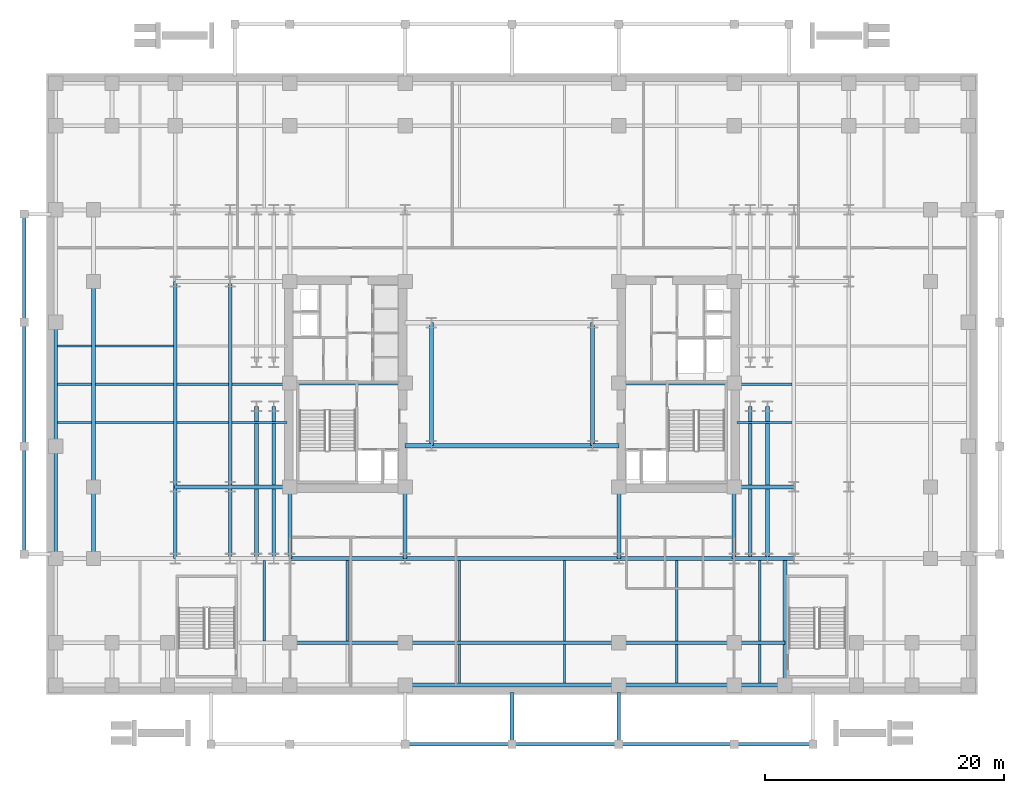
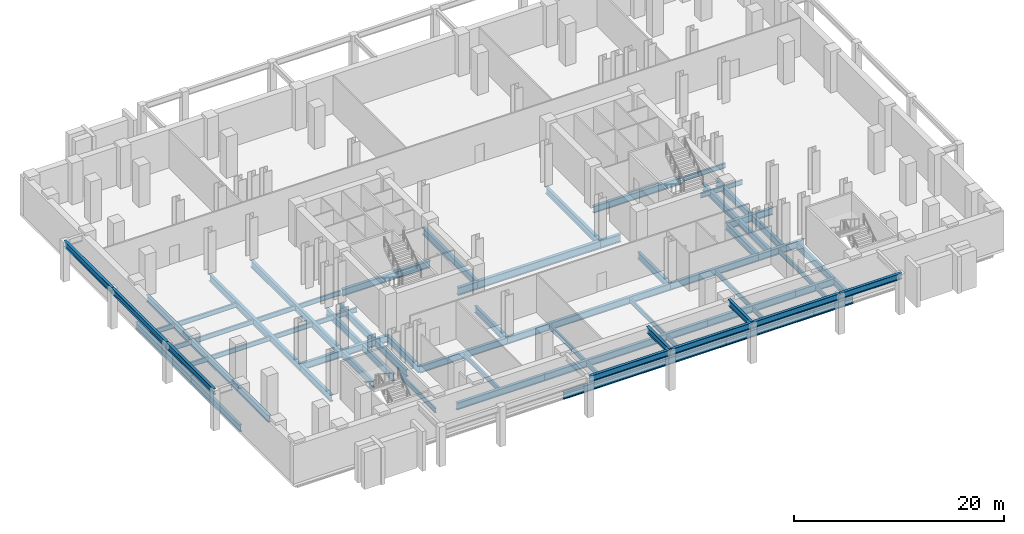
# One storey, part 2 of 13: 69 beams.
"""IFC4 building model written with IfcOpenShell, lengths in metres."""

from ifc_helpers import new_model, si_unit, direction, frame, origin, origin_2d, place, context, subcontext, project, spatial, i_section, extrude, material, material_profile, profile_set, type_object, element, save


model = new_model("IFC4")

# Units and contexts
model_context = context("Model", 3, precision=1e-05, world=origin(), true_north=direction((0.0, 1.0)))
body_context = subcontext(model_context, "Body", "Model", "MODEL_VIEW")
ifc_project = project(units=[si_unit("LENGTHUNIT", "METRE"), si_unit("AREAUNIT", "SQUARE_METRE"), si_unit("VOLUMEUNIT", "CUBIC_METRE"), si_unit("PLANEANGLEUNIT", "RADIAN"), si_unit("MASSUNIT", "GRAM", prefix="KILO")], contexts=[model_context])

# Site, building, storey
site_placement = place(None, origin())
site = spatial("IfcSite", under=ifc_project, at=site_placement, CompositionType="ELEMENT")
building_placement = place(site_placement, origin())
building = spatial("IfcBuilding", under=site, at=building_placement, Name="Velakula Bourse", CompositionType="ELEMENT")
storey_placement = place(building_placement, frame((0.0, 0.0, -4.800048828125)))
storey = spatial("IfcBuildingStorey", under=building, at=storey_placement, Name="B01", CompositionType="ELEMENT", Elevation=-4.800048828125)

# Beams
ifc_material = material(Name="Steel IS 2062 Grade 350 (E350)", Category="steel")
ifc_material_profile_1 = material_profile(ifc_material, i_section(OverallWidth=0.35009765625, OverallDepth=0.89990234375, WebThickness=0.02001953125, FlangeThickness=0.031982421875, at=origin_2d()), Name="Steel IS 2062 Grade 350 (E350)")
ifc_profile_set_1 = profile_set([ifc_material_profile_1], Name="Steel IS 2062 Grade 350 (E350)")
beam_type_1 = type_object("IfcBeamType", Name="BM-LNK-900", PredefinedType="BEAM", material=ifc_profile_set_1)
beam_1_placement = place(storey_placement, frame((-8.949951171875, -5.14990234375, -0.75), z_axis=(1.0, 0.0, 0.0), x_axis=(0.0, 1.0, 0.0)))
element("IfcBeam", 1, at=beam_1_placement, inside=storey, type_object=beam_type_1, Name="B01 Primary Backbone Girder LNK-S1", PredefinedType="BEAM", context=body_context, shape_type="SweptSolid", body=[
    extrude(i_section(OverallWidth=0.35009765625, OverallDepth=0.89990234375, WebThickness=0.02001953125, FlangeThickness=0.031982421875, at=origin_2d()), origin(), (0.0, 0.0, 1.0), 2.199951171875),
])
beam_2_placement = place(storey_placement, frame((-6.75, -5.14990234375, -0.75), z_axis=(1.0, 0.0, 0.0), x_axis=(0.0, 1.0, 0.0)))
element("IfcBeam", 2, at=beam_2_placement, inside=storey, type_object=beam_type_1, Name="B01 Primary Backbone Girder LNK-S2", PredefinedType="BEAM", context=body_context, shape_type="SweptSolid", body=[
    extrude(i_section(OverallWidth=0.35009765625, OverallDepth=0.89990234375, WebThickness=0.02001953125, FlangeThickness=0.031982421875, at=origin_2d()), origin(), (0.0, 0.0, 1.0), 13.5),
])
beam_3_placement = place(storey_placement, frame((6.75, -5.14990234375, -0.75), z_axis=(1.0, 0.0, 0.0), x_axis=(0.0, 1.0, 0.0)))
element("IfcBeam", 3, at=beam_3_placement, inside=storey, type_object=beam_type_1, Name="B01 Primary Backbone Girder LNK-S3", PredefinedType="BEAM", context=body_context, shape_type="SweptSolid", body=[
    extrude(i_section(OverallWidth=0.35009765625, OverallDepth=0.89990234375, WebThickness=0.02001953125, FlangeThickness=0.031982421875, at=origin_2d()), origin(), (0.0, 0.0, 1.0), 2.199951171875),
])
ifc_material_profile_2 = material_profile(ifc_material, i_section(OverallWidth=0.300048828125, OverallDepth=0.699951171875, WebThickness=0.01611328125, FlangeThickness=0.02490234375, at=origin_2d()), Name="Steel IS 2062 Grade 350 (E350)")
ifc_profile_set_2 = profile_set([ifc_material_profile_2], Name="Steel IS 2062 Grade 350 (E350)")
beam_type_2 = type_object("IfcBeamType", Name="BM-POD-700", PredefinedType="BEAM", material=ifc_profile_set_2)
for number, where, z_axis, x_axis, name in (
    (4, (-8.949951171875, -30.14990234375, 4.25), (1.0, 0.0, 0.0), (0.0, 1.0, 0.0), "Forecourt Sub-Plaza Support Girder PLZ-S3"),
    (5, (0.0, -30.14990234375, 4.25), (1.0, 0.0, 0.0), (0.0, 1.0, 0.0), "Forecourt Sub-Plaza Support Girder PLZ-S4"),
):
    element("IfcBeam", number, at=place(storey_placement, frame(where, z_axis=z_axis, x_axis=x_axis)), inside=storey, type_object=beam_type_2, Name=name, PredefinedType="BEAM", context=body_context, shape_type="SweptSolid", body=[
        extrude(i_section(OverallWidth=0.300048828125, OverallDepth=0.699951171875, WebThickness=0.01611328125, FlangeThickness=0.02490234375, at=origin_2d()), origin(), (0.0, 0.0, 1.0), 8.949951171875),
    ])
beam_4_placement = place(storey_placement, frame((8.949951171875, -30.14990234375, 4.25), z_axis=(1.0, 0.0, 0.0), x_axis=(0.0, 1.0, 0.0)))
element("IfcBeam", 6, at=beam_4_placement, inside=storey, type_object=beam_type_2, Name="Forecourt Sub-Plaza Support Girder PLZ-S5", PredefinedType="BEAM", context=body_context, shape_type="SweptSolid", body=[
    extrude(i_section(OverallWidth=0.300048828125, OverallDepth=0.699951171875, WebThickness=0.01611328125, FlangeThickness=0.02490234375, at=origin_2d()), origin(), (0.0, 0.0, 1.0), 9.650146484375),
])
beam_5_placement = place(storey_placement, frame((18.60009765625, -30.14990234375, 4.25), z_axis=(1.0, 0.0, 0.0), x_axis=(0.0, 1.0, 0.0)))
element("IfcBeam", 7, at=beam_5_placement, inside=storey, type_object=beam_type_2, Name="Forecourt Sub-Plaza Support Girder PLZ-S6", PredefinedType="BEAM", context=body_context, shape_type="SweptSolid", body=[
    extrude(i_section(OverallWidth=0.300048828125, OverallDepth=0.699951171875, WebThickness=0.01611328125, FlangeThickness=0.02490234375, at=origin_2d()), origin(), (0.0, 0.0, 1.0), 6.75),
])
for number, where, z_axis, x_axis, name in (
    (8, (0.0, -30.14990234375, 4.25), (0.0, 1.0, 0.0), (-1.0, 0.0, 0.0), "Forecourt Sub-Plaza Support Girder PLZ-CS0"),
    (9, (8.949951171875, -30.14990234375, 4.25), (0.0, 1.0, 0.0), (-1.0, 0.0, 0.0), "Forecourt Sub-Plaza Support Girder PLZ-CS3"),
):
    element("IfcBeam", number, at=place(storey_placement, frame(where, z_axis=z_axis, x_axis=x_axis)), inside=storey, type_object=beam_type_2, Name=name, PredefinedType="BEAM", context=body_context, shape_type="SweptSolid", body=[
        extrude(i_section(OverallWidth=0.300048828125, OverallDepth=0.699951171875, WebThickness=0.01611328125, FlangeThickness=0.02490234375, at=origin_2d()), origin(), (0.0, 0.0, 1.0), 4.349853515625),
    ])
beam_6_placement = place(storey_placement, frame((-40.85009765625, -14.25, 4.25), z_axis=(0.0, 1.0, 0.0), x_axis=(-1.0, 0.0, 0.0)))
element("IfcBeam", 10, at=beam_6_placement, inside=storey, type_object=beam_type_2, Name="Forecourt Sub-Plaza Support Girder PLZ-W1", PredefinedType="BEAM", context=body_context, shape_type="SweptSolid", body=[
    extrude(i_section(OverallWidth=0.300048828125, OverallDepth=0.699951171875, WebThickness=0.01611328125, FlangeThickness=0.02490234375, at=origin_2d()), origin(), (0.0, 0.0, 1.0), 9.050048828125),
])
beam_7_placement = place(storey_placement, frame((-40.85009765625, -5.199951171875, 4.25), z_axis=(0.0, 1.0, 0.0), x_axis=(-1.0, 0.0, 0.0)))
element("IfcBeam", 11, at=beam_7_placement, inside=storey, type_object=beam_type_2, Name="Forecourt Sub-Plaza Support Girder PLZ-W2", PredefinedType="BEAM", context=body_context, shape_type="SweptSolid", body=[
    extrude(i_section(OverallWidth=0.300048828125, OverallDepth=0.699951171875, WebThickness=0.01611328125, FlangeThickness=0.02490234375, at=origin_2d()), origin(), (0.0, 0.0, 1.0), 10.39990234375),
])
beam_8_placement = place(storey_placement, frame((-40.85009765625, 5.199951171875, 4.25), z_axis=(0.0, 1.0, 0.0), x_axis=(-1.0, 0.0, 0.0)))
element("IfcBeam", 12, at=beam_8_placement, inside=storey, type_object=beam_type_2, Name="Forecourt Sub-Plaza Support Girder PLZ-W3", PredefinedType="BEAM", context=body_context, shape_type="SweptSolid", body=[
    extrude(i_section(OverallWidth=0.300048828125, OverallDepth=0.699951171875, WebThickness=0.01611328125, FlangeThickness=0.02490234375, at=origin_2d()), origin(), (0.0, 0.0, 1.0), 9.050048828125),
])
ifc_material_profile_3 = material_profile(ifc_material, i_section(OverallWidth=0.320068359375, OverallDepth=0.800048828125, WebThickness=0.01806640625, FlangeThickness=0.028076171875, at=origin_2d()), Name="Steel IS 2062 Grade 350 (E350)")
ifc_profile_set_3 = profile_set([ifc_material_profile_3], Name="Steel IS 2062 Grade 350 (E350)")
beam_type_3 = type_object("IfcBeamType", Name="BM-POD-800", PredefinedType="BEAM", material=ifc_profile_set_3)
for number, where, z_axis, x_axis, name in (
    (13, (-18.60009765625, 0.10009765625, -0.699951171875), (1.0, 0.0, 0.0), (0.0, 1.0, 0.0), "B01 Primary Backbone Girder CRW-M"),
    (14, (8.949951171875, 0.10009765625, -0.699951171875), (1.0, 0.0, 0.0), (0.0, 1.0, 0.0), "B01 Primary Backbone Girder CRE-M"),
):
    element("IfcBeam", number, at=place(storey_placement, frame(where, z_axis=z_axis, x_axis=x_axis)), inside=storey, type_object=beam_type_3, Name=name, PredefinedType="BEAM", context=body_context, shape_type="SweptSolid", body=[
        extrude(i_section(OverallWidth=0.320068359375, OverallDepth=0.800048828125, WebThickness=0.01806640625, FlangeThickness=0.028076171875, at=origin_2d()), origin(), (0.0, 0.0, 1.0), 9.650146484375),
    ])
for number, where, z_axis, x_axis, name in (
    (15, (-6.75, -5.14990234375, -0.699951171875), (0.0, 1.0, 0.0), (-1.0, 0.0, 0.0), "B01 Primary Backbone Girder SPN-W"),
    (16, (6.75, -5.14990234375, -0.699951171875), (0.0, 1.0, 0.0), (-1.0, 0.0, 0.0), "B01 Primary Backbone Girder SPN-E"),
):
    element("IfcBeam", number, at=place(storey_placement, frame(where, z_axis=z_axis, x_axis=x_axis)), inside=storey, type_object=beam_type_3, Name=name, PredefinedType="BEAM", context=body_context, shape_type="SweptSolid", body=[
        extrude(i_section(OverallWidth=0.320068359375, OverallDepth=0.800048828125, WebThickness=0.01806640625, FlangeThickness=0.028076171875, at=origin_2d()), origin(), (0.0, 0.0, 1.0), 10.2998046875),
    ])
for number, where, z_axis, x_axis, name in (
    (17, (-18.60009765625, -14.60009765625, -0.699951171875), (0.0, 1.0, 0.0), (-1.0, 0.0, 0.0), "B01 Fulcrum Grid Girder FLC-WS"),
    (18, (-8.949951171875, -14.60009765625, -0.699951171875), (0.0, 1.0, 0.0), (-1.0, 0.0, 0.0), "B01 Fulcrum Grid Girder FLC-WCS"),
    (19, (8.949951171875, -14.60009765625, -0.699951171875), (0.0, 1.0, 0.0), (-1.0, 0.0, 0.0), "B01 Fulcrum Grid Girder FLC-ECS"),
    (20, (18.60009765625, -14.60009765625, -0.699951171875), (0.0, 1.0, 0.0), (-1.0, 0.0, 0.0), "B01 Fulcrum Grid Girder FLC-ES"),
):
    element("IfcBeam", number, at=place(storey_placement, frame(where, z_axis=z_axis, x_axis=x_axis)), inside=storey, type_object=beam_type_3, Name=name, PredefinedType="BEAM", context=body_context, shape_type="SweptSolid", body=[
        extrude(i_section(OverallWidth=0.320068359375, OverallDepth=0.800048828125, WebThickness=0.01806640625, FlangeThickness=0.028076171875, at=origin_2d()), origin(), (0.0, 0.0, 1.0), 6.0),
    ])
beam_9_placement = place(storey_placement, frame((-18.60009765625, -14.60009765625, -0.699951171875), z_axis=(1.0, 0.0, 0.0), x_axis=(0.0, 1.0, 0.0)))
element("IfcBeam", 21, at=beam_9_placement, inside=storey, type_object=beam_type_3, Name="B01 Fulcrum Grid Girder FLC-S1", PredefinedType="BEAM", context=body_context, shape_type="SweptSolid", body=[
    extrude(i_section(OverallWidth=0.320068359375, OverallDepth=0.800048828125, WebThickness=0.01806640625, FlangeThickness=0.028076171875, at=origin_2d()), origin(), (0.0, 0.0, 1.0), 9.650146484375),
])
beam_10_placement = place(storey_placement, frame((-8.949951171875, -14.60009765625, -0.699951171875), z_axis=(1.0, 0.0, 0.0), x_axis=(0.0, 1.0, 0.0)))
element("IfcBeam", 22, at=beam_10_placement, inside=storey, type_object=beam_type_3, Name="B01 Fulcrum Grid Girder FLC-S2", PredefinedType="BEAM", context=body_context, shape_type="SweptSolid", body=[
    extrude(i_section(OverallWidth=0.320068359375, OverallDepth=0.800048828125, WebThickness=0.01806640625, FlangeThickness=0.028076171875, at=origin_2d()), origin(), (0.0, 0.0, 1.0), 17.89990234375),
])
beam_11_placement = place(storey_placement, frame((8.949951171875, -14.60009765625, -0.699951171875), z_axis=(1.0, 0.0, 0.0), x_axis=(0.0, 1.0, 0.0)))
element("IfcBeam", 23, at=beam_11_placement, inside=storey, type_object=beam_type_3, Name="B01 Fulcrum Grid Girder FLC-S3", PredefinedType="BEAM", context=body_context, shape_type="SweptSolid", body=[
    extrude(i_section(OverallWidth=0.320068359375, OverallDepth=0.800048828125, WebThickness=0.01806640625, FlangeThickness=0.028076171875, at=origin_2d()), origin(), (0.0, 0.0, 1.0), 9.650146484375),
])
for number, where, z_axis, x_axis, name in (
    (24, (-21.39990234375, -14.60009765625, -0.699951171875), (0.0, 1.0, 0.0), (-1.0, 0.0, 0.0), "B01 Fulcrum Grid Girder FLC-PSW1"),
    (25, (-19.949951171875, -14.60009765625, -0.699951171875), (0.0, 1.0, 0.0), (-1.0, 0.0, 0.0), "B01 Fulcrum Grid Girder FLC-PSW2"),
    (26, (19.949951171875, -14.60009765625, -0.699951171875), (0.0, 1.0, 0.0), (-1.0, 0.0, 0.0), "B01 Fulcrum Grid Girder FLC-PSE1"),
    (27, (21.39990234375, -14.60009765625, -0.699951171875), (0.0, 1.0, 0.0), (-1.0, 0.0, 0.0), "B01 Fulcrum Grid Girder FLC-PSE2"),
):
    element("IfcBeam", number, at=place(storey_placement, frame(where, z_axis=z_axis, x_axis=x_axis)), inside=storey, type_object=beam_type_3, Name=name, PredefinedType="BEAM", context=body_context, shape_type="SweptSolid", body=[
        extrude(i_section(OverallWidth=0.320068359375, OverallDepth=0.800048828125, WebThickness=0.01806640625, FlangeThickness=0.028076171875, at=origin_2d()), origin(), (0.0, 0.0, 1.0), 12.75),
    ])
beam_12_placement = place(storey_placement, frame((-23.60009765625, -8.60009765625, -0.699951171875), z_axis=(1.0, 0.0, 0.0), x_axis=(0.0, 1.0, 0.0)))
element("IfcBeam", 28, at=beam_12_placement, inside=storey, type_object=beam_type_3, Name="B01 Fulcrum Grid Girder MWG-WS2", PredefinedType="BEAM", context=body_context, shape_type="SweptSolid", body=[
    extrude(i_section(OverallWidth=0.320068359375, OverallDepth=0.800048828125, WebThickness=0.01806640625, FlangeThickness=0.028076171875, at=origin_2d()), origin(), (0.0, 0.0, 1.0), 5.0),
])
beam_13_placement = place(storey_placement, frame((-23.60009765625, -14.60009765625, -0.699951171875), z_axis=(0.0, 1.0, 0.0), x_axis=(-1.0, 0.0, 0.0)))
element("IfcBeam", 29, at=beam_13_placement, inside=storey, type_object=beam_type_3, Name="B01 Fulcrum Grid Girder MWG-WNS1", PredefinedType="BEAM", context=body_context, shape_type="SweptSolid", body=[
    extrude(i_section(OverallWidth=0.320068359375, OverallDepth=0.800048828125, WebThickness=0.01806640625, FlangeThickness=0.028076171875, at=origin_2d()), origin(), (0.0, 0.0, 1.0), 6.0),
])
beam_14_placement = place(storey_placement, frame((-23.60009765625, -8.60009765625, -0.699951171875), z_axis=(0.0, 1.0, 0.0), x_axis=(-1.0, 0.0, 0.0)))
element("IfcBeam", 30, at=beam_14_placement, inside=storey, type_object=beam_type_3, Name="B01 Fulcrum Grid Girder MWG-WNS2", PredefinedType="BEAM", context=body_context, shape_type="SweptSolid", body=[
    extrude(i_section(OverallWidth=0.320068359375, OverallDepth=0.800048828125, WebThickness=0.01806640625, FlangeThickness=0.028076171875, at=origin_2d()), origin(), (0.0, 0.0, 1.0), 17.2001953125),
])
for number, where, z_axis, x_axis, name in (
    (31, (18.60009765625, -14.60009765625, -0.699951171875), (1.0, 0.0, 0.0), (0.0, 1.0, 0.0), "B01 Fulcrum Grid Girder MWG-ES1"),
    (32, (18.60009765625, -8.60009765625, -0.699951171875), (1.0, 0.0, 0.0), (0.0, 1.0, 0.0), "B01 Fulcrum Grid Girder MWG-ES2"),
):
    element("IfcBeam", number, at=place(storey_placement, frame(where, z_axis=z_axis, x_axis=x_axis)), inside=storey, type_object=beam_type_3, Name=name, PredefinedType="BEAM", context=body_context, shape_type="SweptSolid", body=[
        extrude(i_section(OverallWidth=0.320068359375, OverallDepth=0.800048828125, WebThickness=0.01806640625, FlangeThickness=0.028076171875, at=origin_2d()), origin(), (0.0, 0.0, 1.0), 5.0),
    ])
beam_15_placement = place(storey_placement, frame((-28.199951171875, -8.60009765625, -0.699951171875), z_axis=(1.0, 0.0, 0.0), x_axis=(0.0, 1.0, 0.0)))
element("IfcBeam", 33, at=beam_15_placement, inside=storey, type_object=beam_type_3, Name="B01 Fulcrum Grid Girder WNG-WS2", PredefinedType="BEAM", context=body_context, shape_type="SweptSolid", body=[
    extrude(i_section(OverallWidth=0.320068359375, OverallDepth=0.800048828125, WebThickness=0.01806640625, FlangeThickness=0.028076171875, at=origin_2d()), origin(), (0.0, 0.0, 1.0), 4.599853515625),
])
beam_16_placement = place(storey_placement, frame((-28.199951171875, -14.60009765625, -0.699951171875), z_axis=(0.0, 1.0, 0.0), x_axis=(-1.0, 0.0, 0.0)))
element("IfcBeam", 34, at=beam_16_placement, inside=storey, type_object=beam_type_3, Name="B01 Fulcrum Grid Girder WNG-WNS1", PredefinedType="BEAM", context=body_context, shape_type="SweptSolid", body=[
    extrude(i_section(OverallWidth=0.320068359375, OverallDepth=0.800048828125, WebThickness=0.01806640625, FlangeThickness=0.028076171875, at=origin_2d()), origin(), (0.0, 0.0, 1.0), 6.0),
])
beam_17_placement = place(storey_placement, frame((-28.199951171875, -8.60009765625, -0.699951171875), z_axis=(0.0, 1.0, 0.0), x_axis=(-1.0, 0.0, 0.0)))
element("IfcBeam", 35, at=beam_17_placement, inside=storey, type_object=beam_type_3, Name="B01 Fulcrum Grid Girder WNG-WNS2", PredefinedType="BEAM", context=body_context, shape_type="SweptSolid", body=[
    extrude(i_section(OverallWidth=0.320068359375, OverallDepth=0.800048828125, WebThickness=0.01806640625, FlangeThickness=0.028076171875, at=origin_2d()), origin(), (0.0, 0.0, 1.0), 17.2001953125),
])
beam_18_placement = place(storey_placement, frame((22.85009765625, -25.199951171875, -0.699951171875), z_axis=(0.0, 1.0, 0.0), x_axis=(-1.0, 0.0, 0.0)))
element("IfcBeam", 36, at=beam_18_placement, inside=storey, type_object=beam_type_3, Name="B01 Podium Stairwell Header Girder STE", PredefinedType="BEAM", context=body_context, shape_type="SweptSolid", body=[
    extrude(i_section(OverallWidth=0.320068359375, OverallDepth=0.800048828125, WebThickness=0.01806640625, FlangeThickness=0.028076171875, at=origin_2d()), origin(), (0.0, 0.0, 1.0), 10.599853515625),
])
beam_19_placement = place(storey_placement, frame((-8.949951171875, -25.199951171875, -0.699951171875), z_axis=(1.0, 0.0, 0.0), x_axis=(0.0, 1.0, 0.0)))
element("IfcBeam", 37, at=beam_19_placement, inside=storey, type_object=beam_type_3, Name="B01 Podium E-W Girder 06", PredefinedType="BEAM", context=body_context, shape_type="SweptSolid", body=[
    extrude(i_section(OverallWidth=0.320068359375, OverallDepth=0.800048828125, WebThickness=0.01806640625, FlangeThickness=0.028076171875, at=origin_2d()), origin(), (0.0, 0.0, 1.0), 17.89990234375),
])
beam_20_placement = place(storey_placement, frame((8.949951171875, -25.199951171875, -0.699951171875), z_axis=(1.0, 0.0, 0.0), x_axis=(0.0, 1.0, 0.0)))
element("IfcBeam", 38, at=beam_20_placement, inside=storey, type_object=beam_type_3, Name="B01 Podium E-W Girder 07", PredefinedType="BEAM", context=body_context, shape_type="SweptSolid", body=[
    extrude(i_section(OverallWidth=0.320068359375, OverallDepth=0.800048828125, WebThickness=0.01806640625, FlangeThickness=0.028076171875, at=origin_2d()), origin(), (0.0, 0.0, 1.0), 9.650146484375),
])
beam_21_placement = place(storey_placement, frame((18.60009765625, -25.199951171875, -0.699951171875), z_axis=(1.0, 0.0, 0.0), x_axis=(0.0, 1.0, 0.0)))
element("IfcBeam", 39, at=beam_21_placement, inside=storey, type_object=beam_type_3, Name="B01 Podium E-W Girder 08", PredefinedType="BEAM", context=body_context, shape_type="SweptSolid", body=[
    extrude(i_section(OverallWidth=0.320068359375, OverallDepth=0.800048828125, WebThickness=0.01806640625, FlangeThickness=0.028076171875, at=origin_2d()), origin(), (0.0, 0.0, 1.0), 4.25),
])
beam_22_placement = place(storey_placement, frame((-18.60009765625, -21.64990234375, -0.699951171875), z_axis=(1.0, 0.0, 0.0), x_axis=(0.0, 1.0, 0.0)))
element("IfcBeam", 40, at=beam_22_placement, inside=storey, type_object=beam_type_3, Name="B01 Podium E-W Girder 15", PredefinedType="BEAM", context=body_context, shape_type="SweptSolid", body=[
    extrude(i_section(OverallWidth=0.320068359375, OverallDepth=0.800048828125, WebThickness=0.01806640625, FlangeThickness=0.028076171875, at=origin_2d()), origin(), (0.0, 0.0, 1.0), 9.650146484375),
])
beam_23_placement = place(storey_placement, frame((-8.949951171875, -21.64990234375, -0.699951171875), z_axis=(1.0, 0.0, 0.0), x_axis=(0.0, 1.0, 0.0)))
element("IfcBeam", 41, at=beam_23_placement, inside=storey, type_object=beam_type_3, Name="B01 Podium E-W Girder 16", PredefinedType="BEAM", context=body_context, shape_type="SweptSolid", body=[
    extrude(i_section(OverallWidth=0.320068359375, OverallDepth=0.800048828125, WebThickness=0.01806640625, FlangeThickness=0.028076171875, at=origin_2d()), origin(), (0.0, 0.0, 1.0), 17.89990234375),
])
beam_24_placement = place(storey_placement, frame((8.949951171875, -21.64990234375, -0.699951171875), z_axis=(1.0, 0.0, 0.0), x_axis=(0.0, 1.0, 0.0)))
element("IfcBeam", 42, at=beam_24_placement, inside=storey, type_object=beam_type_3, Name="B01 Podium E-W Girder 17", PredefinedType="BEAM", context=body_context, shape_type="SweptSolid", body=[
    extrude(i_section(OverallWidth=0.320068359375, OverallDepth=0.800048828125, WebThickness=0.01806640625, FlangeThickness=0.028076171875, at=origin_2d()), origin(), (0.0, 0.0, 1.0), 9.650146484375),
])
beam_25_placement = place(storey_placement, frame((18.60009765625, -21.64990234375, -0.699951171875), z_axis=(1.0, 0.0, 0.0), x_axis=(0.0, 1.0, 0.0)))
element("IfcBeam", 43, at=beam_25_placement, inside=storey, type_object=beam_type_3, Name="B01 Podium E-W Girder 18", PredefinedType="BEAM", context=body_context, shape_type="SweptSolid", body=[
    extrude(i_section(OverallWidth=0.320068359375, OverallDepth=0.800048828125, WebThickness=0.01806640625, FlangeThickness=0.028076171875, at=origin_2d()), origin(), (0.0, 0.0, 1.0), 4.25),
])
beam_26_placement = place(storey_placement, frame((-38.199951171875, -14.60009765625, -0.699951171875), z_axis=(0.0, 1.0, 0.0), x_axis=(-1.0, 0.0, 0.0)))
element("IfcBeam", 44, at=beam_26_placement, inside=storey, type_object=beam_type_3, Name="B01 Podium N-S Girder 67", PredefinedType="BEAM", context=body_context, shape_type="SweptSolid", body=[
    extrude(i_section(OverallWidth=0.320068359375, OverallDepth=0.800048828125, WebThickness=0.01806640625, FlangeThickness=0.028076171875, at=origin_2d()), origin(), (0.0, 0.0, 1.0), 9.400146484375),
])
beam_27_placement = place(storey_placement, frame((-38.199951171875, -5.199951171875, -0.699951171875), z_axis=(0.0, 1.0, 0.0), x_axis=(-1.0, 0.0, 0.0)))
element("IfcBeam", 45, at=beam_27_placement, inside=storey, type_object=beam_type_3, Name="B01 Podium N-S Girder 68", PredefinedType="BEAM", context=body_context, shape_type="SweptSolid", body=[
    extrude(i_section(OverallWidth=0.320068359375, OverallDepth=0.800048828125, WebThickness=0.01806640625, FlangeThickness=0.028076171875, at=origin_2d()), origin(), (0.0, 0.0, 1.0), 10.39990234375),
])
beam_28_placement = place(storey_placement, frame((-35.050048828125, -14.60009765625, -0.699951171875), z_axis=(0.0, 1.0, 0.0), x_axis=(-1.0, 0.0, 0.0)))
element("IfcBeam", 46, at=beam_28_placement, inside=storey, type_object=beam_type_3, Name="B01 Podium N-S Girder 72", PredefinedType="BEAM", context=body_context, shape_type="SweptSolid", body=[
    extrude(i_section(OverallWidth=0.320068359375, OverallDepth=0.800048828125, WebThickness=0.01806640625, FlangeThickness=0.028076171875, at=origin_2d()), origin(), (0.0, 0.0, 1.0), 6.0),
])
beam_29_placement = place(storey_placement, frame((-35.050048828125, -8.60009765625, -0.699951171875), z_axis=(0.0, 1.0, 0.0), x_axis=(-1.0, 0.0, 0.0)))
element("IfcBeam", 47, at=beam_29_placement, inside=storey, type_object=beam_type_3, Name="B01 Podium N-S Girder 73", PredefinedType="BEAM", context=body_context, shape_type="SweptSolid", body=[
    extrude(i_section(OverallWidth=0.320068359375, OverallDepth=0.800048828125, WebThickness=0.01806640625, FlangeThickness=0.028076171875, at=origin_2d()), origin(), (0.0, 0.0, 1.0), 17.2001953125),
])
ifc_material_profile_4 = material_profile(ifc_material, i_section(OverallWidth=0.18994140625, OverallDepth=0.550048828125, WebThickness=0.01123046875, FlangeThickness=0.019287109375, at=origin_2d()), Name="Steel IS 2062 Grade 350 (E350)")
ifc_profile_set_4 = profile_set([ifc_material_profile_4], Name="Steel IS 2062 Grade 350 (E350)")
beam_type_4 = type_object("IfcBeamType", Name="JST-POD-550", PredefinedType="JOIST", material=ifc_profile_set_4)
for number, where, z_axis, x_axis, name in (
    (48, (-20.75, -21.489990234375, -0.574951171875), (0.0, 1.0, 0.0), (-1.0, 0.0, 0.0), "B01 Station Podium Floor Joist 06"),
    (49, (-13.800048828125, -21.489990234375, -0.574951171875), (0.0, 1.0, 0.0), (-1.0, 0.0, 0.0), "B01 Station Podium Floor Joist 10"),
):
    element("IfcBeam", number, at=place(storey_placement, frame(where, z_axis=z_axis, x_axis=x_axis)), inside=storey, type_object=beam_type_4, Name=name, PredefinedType="JOIST", context=body_context, shape_type="SweptSolid", body=[
        extrude(i_section(OverallWidth=0.18994140625, OverallDepth=0.550048828125, WebThickness=0.01123046875, FlangeThickness=0.019287109375, at=origin_2d()), origin(), (0.0, 0.0, 1.0), 6.72998046875),
    ])
beam_30_placement = place(storey_placement, frame((-4.39990234375, -25.0400390625, -0.574951171875), z_axis=(0.0, 1.0, 0.0), x_axis=(-1.0, 0.0, 0.0)))
element("IfcBeam", 50, at=beam_30_placement, inside=storey, type_object=beam_type_4, Name="B01 Station Podium Floor Joist 13", PredefinedType="JOIST", context=body_context, shape_type="SweptSolid", body=[
    extrude(i_section(OverallWidth=0.18994140625, OverallDepth=0.550048828125, WebThickness=0.01123046875, FlangeThickness=0.019287109375, at=origin_2d()), origin(), (0.0, 0.0, 1.0), 3.22998046875),
])
beam_31_placement = place(storey_placement, frame((-4.39990234375, -21.489990234375, -0.574951171875), z_axis=(0.0, 1.0, 0.0), x_axis=(-1.0, 0.0, 0.0)))
element("IfcBeam", 51, at=beam_31_placement, inside=storey, type_object=beam_type_4, Name="B01 Station Podium Floor Joist 14", PredefinedType="JOIST", context=body_context, shape_type="SweptSolid", body=[
    extrude(i_section(OverallWidth=0.18994140625, OverallDepth=0.550048828125, WebThickness=0.01123046875, FlangeThickness=0.019287109375, at=origin_2d()), origin(), (0.0, 0.0, 1.0), 6.72998046875),
])
beam_32_placement = place(storey_placement, frame((4.39990234375, -25.0400390625, -0.574951171875), z_axis=(0.0, 1.0, 0.0), x_axis=(-1.0, 0.0, 0.0)))
element("IfcBeam", 52, at=beam_32_placement, inside=storey, type_object=beam_type_4, Name="B01 Station Podium Floor Joist 17", PredefinedType="JOIST", context=body_context, shape_type="SweptSolid", body=[
    extrude(i_section(OverallWidth=0.18994140625, OverallDepth=0.550048828125, WebThickness=0.01123046875, FlangeThickness=0.019287109375, at=origin_2d()), origin(), (0.0, 0.0, 1.0), 3.22998046875),
])
beam_33_placement = place(storey_placement, frame((4.39990234375, -21.489990234375, -0.574951171875), z_axis=(0.0, 1.0, 0.0), x_axis=(-1.0, 0.0, 0.0)))
element("IfcBeam", 53, at=beam_33_placement, inside=storey, type_object=beam_type_4, Name="B01 Station Podium Floor Joist 18", PredefinedType="JOIST", context=body_context, shape_type="SweptSolid", body=[
    extrude(i_section(OverallWidth=0.18994140625, OverallDepth=0.550048828125, WebThickness=0.01123046875, FlangeThickness=0.019287109375, at=origin_2d()), origin(), (0.0, 0.0, 1.0), 6.72998046875),
])
beam_34_placement = place(storey_placement, frame((13.800048828125, -25.0400390625, -0.574951171875), z_axis=(0.0, 1.0, 0.0), x_axis=(-1.0, 0.0, 0.0)))
element("IfcBeam", 54, at=beam_34_placement, inside=storey, type_object=beam_type_4, Name="B01 Station Podium Floor Joist 21", PredefinedType="JOIST", context=body_context, shape_type="SweptSolid", body=[
    extrude(i_section(OverallWidth=0.18994140625, OverallDepth=0.550048828125, WebThickness=0.01123046875, FlangeThickness=0.019287109375, at=origin_2d()), origin(), (0.0, 0.0, 1.0), 3.22998046875),
])
beam_35_placement = place(storey_placement, frame((13.800048828125, -21.489990234375, -0.574951171875), z_axis=(0.0, 1.0, 0.0), x_axis=(-1.0, 0.0, 0.0)))
element("IfcBeam", 55, at=beam_35_placement, inside=storey, type_object=beam_type_4, Name="B01 Station Podium Floor Joist 22", PredefinedType="JOIST", context=body_context, shape_type="SweptSolid", body=[
    extrude(i_section(OverallWidth=0.18994140625, OverallDepth=0.550048828125, WebThickness=0.01123046875, FlangeThickness=0.019287109375, at=origin_2d()), origin(), (0.0, 0.0, 1.0), 6.72998046875),
])
beam_36_placement = place(storey_placement, frame((20.75, -25.0400390625, -0.574951171875), z_axis=(0.0, 1.0, 0.0), x_axis=(-1.0, 0.0, 0.0)))
element("IfcBeam", 56, at=beam_36_placement, inside=storey, type_object=beam_type_4, Name="B01 Station Podium Floor Joist 25", PredefinedType="JOIST", context=body_context, shape_type="SweptSolid", body=[
    extrude(i_section(OverallWidth=0.18994140625, OverallDepth=0.550048828125, WebThickness=0.01123046875, FlangeThickness=0.019287109375, at=origin_2d()), origin(), (0.0, 0.0, 1.0), 3.22998046875),
])
beam_37_placement = place(storey_placement, frame((20.75, -21.489990234375, -0.574951171875), z_axis=(0.0, 1.0, 0.0), x_axis=(-1.0, 0.0, 0.0)))
element("IfcBeam", 57, at=beam_37_placement, inside=storey, type_object=beam_type_4, Name="B01 Station Podium Floor Joist 26", PredefinedType="JOIST", context=body_context, shape_type="SweptSolid", body=[
    extrude(i_section(OverallWidth=0.18994140625, OverallDepth=0.550048828125, WebThickness=0.01123046875, FlangeThickness=0.019287109375, at=origin_2d()), origin(), (0.0, 0.0, 1.0), 6.72998046875),
])
beam_38_placement = place(storey_placement, frame((-38.0400390625, -3.199951171875, -0.574951171875), z_axis=(1.0, 0.0, 0.0), x_axis=(0.0, 1.0, 0.0)))
element("IfcBeam", 58, at=beam_38_placement, inside=storey, type_object=beam_type_4, Name="B01 Station Wing Floor Joist 33", PredefinedType="JOIST", context=body_context, shape_type="SweptSolid", body=[
    extrude(i_section(OverallWidth=0.18994140625, OverallDepth=0.550048828125, WebThickness=0.01123046875, FlangeThickness=0.019287109375, at=origin_2d()), origin(), (0.0, 0.0, 1.0), 2.830078125),
])
beam_39_placement = place(storey_placement, frame((-34.889892578125, -3.199951171875, -0.574951171875), z_axis=(1.0, 0.0, 0.0), x_axis=(0.0, 1.0, 0.0)))
element("IfcBeam", 59, at=beam_39_placement, inside=storey, type_object=beam_type_4, Name="B01 Station Wing Floor Joist 34", PredefinedType="JOIST", context=body_context, shape_type="SweptSolid", body=[
    extrude(i_section(OverallWidth=0.18994140625, OverallDepth=0.550048828125, WebThickness=0.01123046875, FlangeThickness=0.019287109375, at=origin_2d()), origin(), (0.0, 0.0, 1.0), 6.52978515625),
])
beam_40_placement = place(storey_placement, frame((-28.0400390625, -3.199951171875, -0.574951171875), z_axis=(1.0, 0.0, 0.0), x_axis=(0.0, 1.0, 0.0)))
element("IfcBeam", 60, at=beam_40_placement, inside=storey, type_object=beam_type_4, Name="B01 Station Wing Floor Joist 35", PredefinedType="JOIST", context=body_context, shape_type="SweptSolid", body=[
    extrude(i_section(OverallWidth=0.18994140625, OverallDepth=0.550048828125, WebThickness=0.01123046875, FlangeThickness=0.019287109375, at=origin_2d()), origin(), (0.0, 0.0, 1.0), 4.280029296875),
])
for number, where, z_axis, x_axis, name in (
    (61, (-23.43994140625, -3.199951171875, -0.574951171875), (1.0, 0.0, 0.0), (0.0, 1.0, 0.0), "B01 Station Wing Floor Joist 36"),
    (62, (18.85009765625, -3.199951171875, -0.574951171875), (1.0, 0.0, 0.0), (0.0, 1.0, 0.0), "B01 Station Wing Floor Joist 37"),
):
    element("IfcBeam", number, at=place(storey_placement, frame(where, z_axis=z_axis, x_axis=x_axis)), inside=storey, type_object=beam_type_4, Name=name, PredefinedType="JOIST", context=body_context, shape_type="SweptSolid", body=[
        extrude(i_section(OverallWidth=0.18994140625, OverallDepth=0.550048828125, WebThickness=0.01123046875, FlangeThickness=0.019287109375, at=origin_2d()), origin(), (0.0, 0.0, 1.0), 4.58984375),
    ])
beam_41_placement = place(storey_placement, frame((-38.0400390625, 0.0, -0.574951171875), z_axis=(1.0, 0.0, 0.0), x_axis=(0.0, 1.0, 0.0)))
element("IfcBeam", 63, at=beam_41_placement, inside=storey, type_object=beam_type_4, Name="B01 Station Wing Floor Joist 41", PredefinedType="JOIST", context=body_context, shape_type="SweptSolid", body=[
    extrude(i_section(OverallWidth=0.18994140625, OverallDepth=0.550048828125, WebThickness=0.01123046875, FlangeThickness=0.019287109375, at=origin_2d()), origin(), (0.0, 0.0, 1.0), 2.830078125),
])
beam_42_placement = place(storey_placement, frame((-34.889892578125, 0.0, -0.574951171875), z_axis=(1.0, 0.0, 0.0), x_axis=(0.0, 1.0, 0.0)))
element("IfcBeam", 64, at=beam_42_placement, inside=storey, type_object=beam_type_4, Name="B01 Station Wing Floor Joist 42", PredefinedType="JOIST", context=body_context, shape_type="SweptSolid", body=[
    extrude(i_section(OverallWidth=0.18994140625, OverallDepth=0.550048828125, WebThickness=0.01123046875, FlangeThickness=0.019287109375, at=origin_2d()), origin(), (0.0, 0.0, 1.0), 6.52978515625),
])
beam_43_placement = place(storey_placement, frame((-28.0400390625, 0.0, -0.574951171875), z_axis=(1.0, 0.0, 0.0), x_axis=(0.0, 1.0, 0.0)))
element("IfcBeam", 65, at=beam_43_placement, inside=storey, type_object=beam_type_4, Name="B01 Station Wing Floor Joist 43", PredefinedType="JOIST", context=body_context, shape_type="SweptSolid", body=[
    extrude(i_section(OverallWidth=0.18994140625, OverallDepth=0.550048828125, WebThickness=0.01123046875, FlangeThickness=0.019287109375, at=origin_2d()), origin(), (0.0, 0.0, 1.0), 4.280029296875),
])
for number, where, z_axis, x_axis, name in (
    (66, (-23.43994140625, 0.0, -0.574951171875), (1.0, 0.0, 0.0), (0.0, 1.0, 0.0), "B01 Station Wing Floor Joist 44"),
    (67, (18.85009765625, 0.0, -0.574951171875), (1.0, 0.0, 0.0), (0.0, 1.0, 0.0), "B01 Station Wing Floor Joist 45"),
):
    element("IfcBeam", number, at=place(storey_placement, frame(where, z_axis=z_axis, x_axis=x_axis)), inside=storey, type_object=beam_type_4, Name=name, PredefinedType="JOIST", context=body_context, shape_type="SweptSolid", body=[
        extrude(i_section(OverallWidth=0.18994140625, OverallDepth=0.550048828125, WebThickness=0.01123046875, FlangeThickness=0.019287109375, at=origin_2d()), origin(), (0.0, 0.0, 1.0), 4.58984375),
    ])
beam_44_placement = place(storey_placement, frame((-38.0400390625, 3.199951171875, -0.574951171875), z_axis=(1.0, 0.0, 0.0), x_axis=(0.0, 1.0, 0.0)))
element("IfcBeam", 68, at=beam_44_placement, inside=storey, type_object=beam_type_4, Name="B01 Station Wing Floor Joist 49", PredefinedType="JOIST", context=body_context, shape_type="SweptSolid", body=[
    extrude(i_section(OverallWidth=0.18994140625, OverallDepth=0.550048828125, WebThickness=0.01123046875, FlangeThickness=0.019287109375, at=origin_2d()), origin(), (0.0, 0.0, 1.0), 2.830078125),
])
beam_45_placement = place(storey_placement, frame((-34.889892578125, 3.199951171875, -0.574951171875), z_axis=(1.0, 0.0, 0.0), x_axis=(0.0, 1.0, 0.0)))
element("IfcBeam", 69, at=beam_45_placement, inside=storey, type_object=beam_type_4, Name="B01 Station Wing Floor Joist 50", PredefinedType="JOIST", context=body_context, shape_type="SweptSolid", body=[
    extrude(i_section(OverallWidth=0.18994140625, OverallDepth=0.550048828125, WebThickness=0.01123046875, FlangeThickness=0.019287109375, at=origin_2d()), origin(), (0.0, 0.0, 1.0), 6.52978515625),
])

save(model, "model.ifc")
